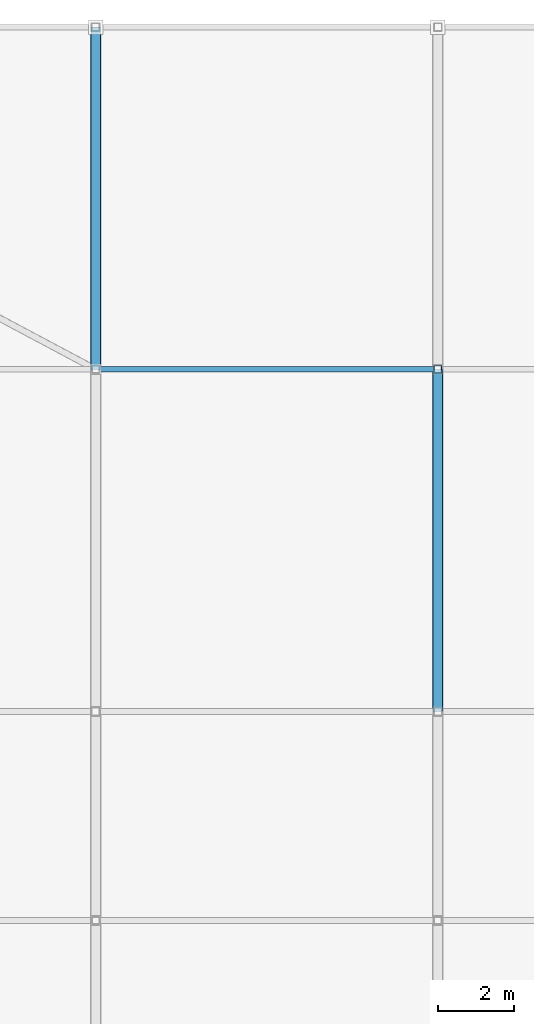
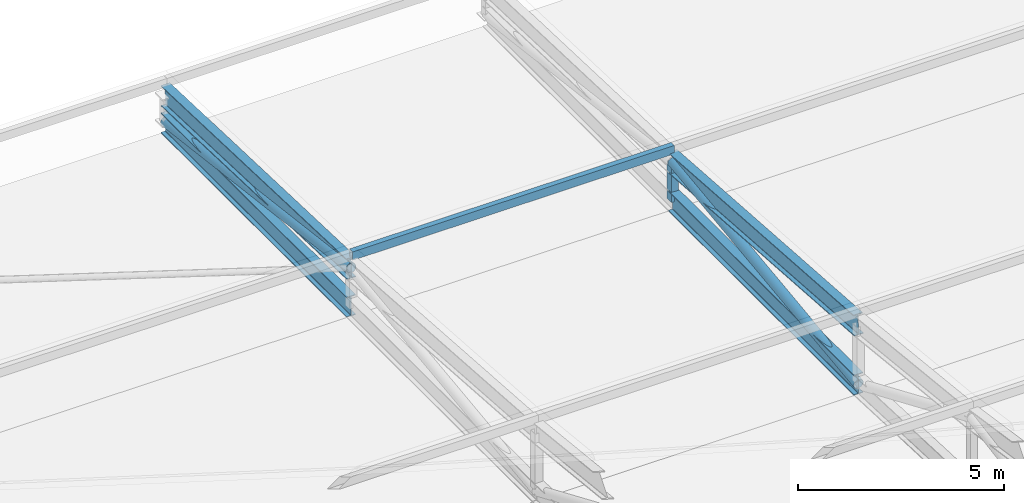
# One storey, part 69 of 114: 4 beams, 4 members.
"""IFC4 building model written with IfcOpenShell, lengths in metres."""

from ifc_helpers import new_model, si_unit, direction, frame, origin, origin_2d, place, context, subcontext, project, spatial, hollow_rectangle, hollow_circle, i_section, extrude, material, material_profile, profile_set, type_object, element, save


model = new_model("IFC4")

# Units and contexts
model_context = context("Model", 3, precision=1e-05, world=origin(), true_north=direction((0.0, 1.0)))
body_context = subcontext(model_context, "Body", "Model", "MODEL_VIEW")
ifc_project = project(units=[si_unit("LENGTHUNIT", "METRE"), si_unit("AREAUNIT", "SQUARE_METRE"), si_unit("VOLUMEUNIT", "CUBIC_METRE"), si_unit("PLANEANGLEUNIT", "RADIAN"), si_unit("MASSUNIT", "GRAM", prefix="KILO"), si_unit("THERMODYNAMICTEMPERATUREUNIT", "KELVIN"), si_unit("POWERUNIT", "WATT")], contexts=[model_context])

# Site, building, storey
site_placement = place(None, origin())
site = spatial("IfcSite", under=ifc_project, at=site_placement, CompositionType="ELEMENT")
building_placement = place(site_placement, origin())
building = spatial("IfcBuilding", under=site, at=building_placement, Name="Sindhuravela Promenade Stadium", CompositionType="ELEMENT")
storey_placement = place(building_placement, frame((0.0, 0.0, 24.0)))
storey = spatial("IfcBuildingStorey", under=building, at=storey_placement, Name="L05", CompositionType="ELEMENT", Elevation=24.0)

# Beams
ifc_material = material(Name="Steel E350 (IS 2062 E350BR)", Category="steel")
ifc_material_profile_1 = material_profile(ifc_material, i_section(OverallWidth=0.25, OverallDepth=0.60009765625, WebThickness=0.01171875, FlangeThickness=0.023681640625, FilletRadius=0.01708984375, at=origin_2d()), Name="ISWB 600")
ifc_profile_set_1 = profile_set([ifc_material_profile_1], Name="Steel E350 (IS 2062 E350BR)")
beam_type = type_object("IfcBeamType", Name="ST-BM-WB600", PredefinedType="USERDEFINED", material=ifc_profile_set_1)
beam_1_placement = place(storey_placement, frame((72.0, 153.0, 0.800048828125), z_axis=(0.0, -0.9993399990381225, 0.03632583546850814), x_axis=(1.0, 0.0, 0.0)))
element("IfcBeam", 1, at=beam_1_placement, inside=storey, type_object=beam_type, Name="Roof truss RT-N02 top chord 1", ObjectType="ROOF TRUSS", PredefinedType="USERDEFINED", context=body_context, shape_type="SweptSolid", body=[
    extrude(i_section(OverallWidth=0.25, OverallDepth=0.60009765625, WebThickness=0.01171875, FlangeThickness=0.023681640625, FilletRadius=0.01708984375, at=origin_2d()), origin(), (0.0, 0.0, 1.0), 9.005859375),
])
beam_2_placement = place(storey_placement, frame((72.0, 153.0, 0.0), z_axis=(0.0, -1.0, 0.0), x_axis=(1.0, 0.0, 0.0)))
element("IfcBeam", 2, at=beam_2_placement, inside=storey, type_object=beam_type, Name="Roof truss RT-N02 bottom chord 1", ObjectType="ROOF TRUSS", PredefinedType="USERDEFINED", context=body_context, shape_type="SweptSolid", body=[
    extrude(i_section(OverallWidth=0.25, OverallDepth=0.60009765625, WebThickness=0.01171875, FlangeThickness=0.023681640625, FilletRadius=0.01708984375, at=origin_2d()), origin(), (0.0, 0.0, 1.0), 9.0),
])
beam_3_placement = place(storey_placement, frame((81.0, 144.0, 1.127197265625), z_axis=(0.0, -0.9975125305940163, 0.07048937017679613), x_axis=(1.0, 0.0, 0.0)))
element("IfcBeam", 3, at=beam_3_placement, inside=storey, type_object=beam_type, Name="Roof truss RT-N03 top chord 2", ObjectType="ROOF TRUSS", PredefinedType="USERDEFINED", context=body_context, shape_type="SweptSolid", body=[
    extrude(i_section(OverallWidth=0.25, OverallDepth=0.60009765625, WebThickness=0.01171875, FlangeThickness=0.023681640625, FilletRadius=0.01708984375, at=origin_2d()), origin(), (0.0, 0.0, 1.0), 9.0224609375),
])
beam_4_placement = place(storey_placement, frame((81.0, 144.0, 0.0), z_axis=(0.0, -1.0, 0.0), x_axis=(1.0, 0.0, 0.0)))
element("IfcBeam", 4, at=beam_4_placement, inside=storey, type_object=beam_type, Name="Roof truss RT-N03 bottom chord 2", ObjectType="ROOF TRUSS", PredefinedType="USERDEFINED", context=body_context, shape_type="SweptSolid", body=[
    extrude(i_section(OverallWidth=0.25, OverallDepth=0.60009765625, WebThickness=0.01171875, FlangeThickness=0.023681640625, FilletRadius=0.01708984375, at=origin_2d()), origin(), (0.0, 0.0, 1.0), 9.0),
])

# Members
ifc_material_profile_2 = material_profile(ifc_material, hollow_circle(Radius=0.136474609375, WallThickness=0.010009765625, at=origin_2d()), Name="CHS 273.0x10")
ifc_profile_set_2 = profile_set([ifc_material_profile_2], Name="Steel E350 (IS 2062 E350BR)")
member_type_1 = type_object("IfcMemberType", Name="ST-MB-CHS273", PredefinedType="BRACE", material=ifc_profile_set_2)
for number, where, z_axis, x_axis, name in (
    (5, (72.0, 153.0, 0.0), (0.0, -0.9922480329009012, 0.12427325216752011), (1.0, 0.0, 0.0), "Roof truss RT-N02 diagonal web 1"),
    (6, (81.0, 144.0, 1.127197265625), (0.0, -0.9922480329009012, -0.12427325216752011), (1.0, 0.0, 0.0), "Roof truss RT-N03 diagonal web 2"),
):
    element("IfcMember", number, at=place(storey_placement, frame(where, z_axis=z_axis, x_axis=x_axis)), inside=storey, type_object=member_type_1, Name=name, PredefinedType="BRACE", context=body_context, shape_type="SweptSolid", body=[
        extrude(hollow_circle(Radius=0.136474609375, WallThickness=0.010009765625, at=origin_2d()), origin(), (0.0, 0.0, 1.0), 9.0703125),
    ])
ifc_material_profile_3 = material_profile(ifc_material, hollow_rectangle(XDim=0.14990234375, YDim=0.25, WallThickness=0.010009765625, at=origin_2d()), Name="RHS 250x150x10")
ifc_profile_set_3 = profile_set([ifc_material_profile_3], Name="Steel E350 (IS 2062 E350BR)")
member_type_2 = type_object("IfcMemberType", Name="ST-MB-RHS250", PredefinedType="PURLIN", material=ifc_profile_set_3)
member_1_placement = place(storey_placement, frame((72.0, 144.0, 1.51904296875), z_axis=(1.0, 0.0, 0.0), x_axis=(0.0, 1.0, 0.0)))
element("IfcMember", 7, at=member_1_placement, inside=storey, type_object=member_type_2, Name="Roof purlin PR01 N bay 2.2", PredefinedType="PURLIN", context=body_context, shape_type="SweptSolid", body=[
    extrude(hollow_rectangle(XDim=0.14990234375, YDim=0.25, WallThickness=0.010009765625, at=origin_2d()), origin(), (0.0, 0.0, 1.0), 9.0),
])
ifc_material_profile_4 = material_profile(ifc_material, hollow_rectangle(XDim=0.199951171875, YDim=0.199951171875, WallThickness=0.010009765625, at=origin_2d()), Name="SHS 200x200x10")
ifc_profile_set_4 = profile_set([ifc_material_profile_4], Name="Steel E350 (IS 2062 E350BR)")
member_type_3 = type_object("IfcMemberType", Name="ST-MB-SHS200", PredefinedType="POST", material=ifc_profile_set_4)
member_2_placement = place(storey_placement, frame((81.0, 144.0, 0.0), z_axis=(0.0, 0.0, 1.0), x_axis=(1.0, 0.0, 0.0)))
element("IfcMember", 8, at=member_2_placement, inside=storey, type_object=member_type_3, Name="Roof truss RT-N03 vertical post 2", PredefinedType="POST", context=body_context, shape_type="SweptSolid", body=[
    extrude(hollow_rectangle(XDim=0.199951171875, YDim=0.199951171875, WallThickness=0.010009765625, at=origin_2d()), origin(), (0.0, 0.0, 1.0), 1.127197265625),
])

save(model, "model.ifc")
